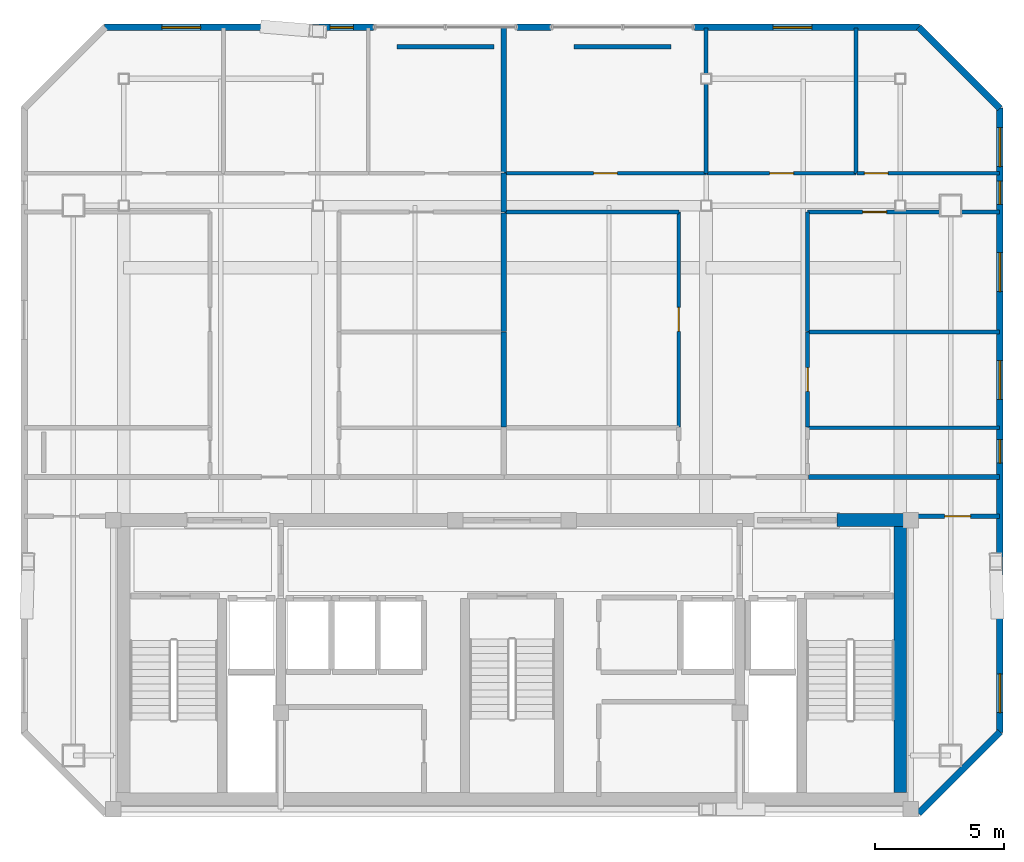
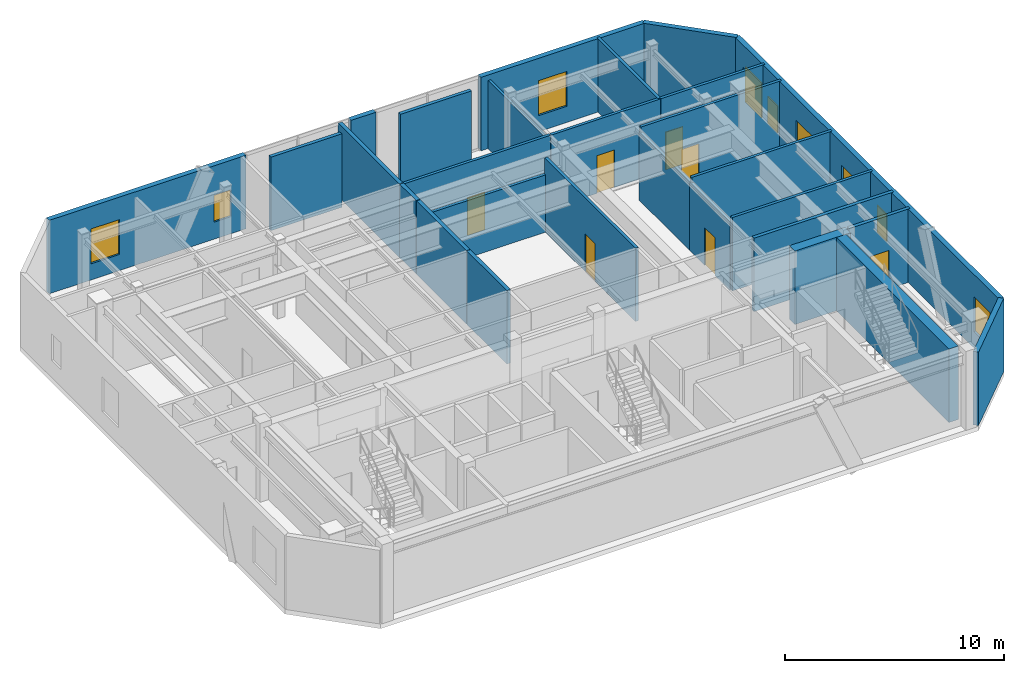
# One storey, part 8 of 10: 28 walls, 9 windows, 7 doors, 16 openings.
"""IFC4 building model written with IfcOpenShell, lengths in metres."""

from ifc_helpers import new_model, si_unit, direction, frame, frame_2d, origin, place, context, subcontext, project, spatial, rectangle, extrude, material, layer, layer_set, type_object, element, fill, save


model = new_model("IFC4")

# Units and contexts
model_context = context("Model", 3, precision=1e-05, world=origin(), true_north=direction((0.0, 1.0)))
body_context = subcontext(model_context, "Body", "Model", "MODEL_VIEW")
ifc_project = project(units=[si_unit("LENGTHUNIT", "METRE"), si_unit("AREAUNIT", "SQUARE_METRE"), si_unit("VOLUMEUNIT", "CUBIC_METRE"), si_unit("PLANEANGLEUNIT", "RADIAN"), si_unit("MASSUNIT", "GRAM", prefix="KILO")], contexts=[model_context])

# Site, building, storey
site_placement = place(None, origin())
site = spatial("IfcSite", under=ifc_project, at=site_placement, CompositionType="ELEMENT")
building_placement = place(site_placement, origin())
building = spatial("IfcBuilding", under=site, at=building_placement, Name="Ventersveld Concourse Tower", CompositionType="ELEMENT")
storey_placement = place(building_placement, frame((0.0, 0.0, 362.25)))
storey = spatial("IfcBuildingStorey", under=building, at=storey_placement, Name="L89", CompositionType="ELEMENT", Elevation=362.25)

# Walls
ifc_material_1 = material(Name="Concrete C50/60", Category="concrete")
ifc_layer_1 = layer(ifc_material_1, 0.5)
ifc_layer_set_1 = layer_set([ifc_layer_1], Name="Concrete C50/60")
wall_type_1 = type_object("IfcWallType", Name="WL-CORE-500", PredefinedType="SHEAR", material=ifc_layer_set_1)
wall_1_placement = place(storey_placement, frame((43.75, 0.919921875, 0.0), z_axis=(0.0, 0.0, 1.0), x_axis=(0.0, 1.0, 0.0)))
element("IfcWall", 1, at=wall_1_placement, inside=storey, type_object=wall_type_1, Name="L89 Rear Core East Shear Wall", PredefinedType="SHEAR", context=body_context, shape_type="SweptSolid", body=[
    extrude(rectangle(XDim=10.530029296875, YDim=0.5, at=frame_2d((5.26513671875, 0.0))), origin(), (0.0, 0.0, 1.0), 4.10009765625),
])
wall_2_placement = place(storey_placement, frame((41.300048828125, 11.449951171875, 0.0), z_axis=(0.0, 0.0, 1.0), x_axis=(1.0, 0.0, 0.0)))
element("IfcWall", 2, at=wall_2_placement, inside=storey, type_object=wall_type_1, Name="L89 Rear Core North Shear Wall NE", PredefinedType="SHEAR", context=body_context, shape_type="SweptSolid", body=[
    extrude(rectangle(XDim=2.949951171875, YDim=0.5, at=frame_2d((1.47509765625, 0.0))), origin(), (0.0, 0.0, 1.0), 4.10009765625),
])

# Wall, opening, door
ifc_material_2 = material(Name="Fire-rated autoclaved aerated masonry blockwork", Category="masonry")
ifc_layer_2 = layer(ifc_material_2, 0.179931640625)
ifc_layer_set_2 = layer_set([ifc_layer_2], Name="Fire-rated autoclaved aerated masonry blockwork")
wall_type_2 = type_object("IfcWallType", Name="WL-CORR-180", PredefinedType="PARTITIONING", material=ifc_layer_set_2)
wall_3_placement = place(storey_placement, frame((44.35498046875, 11.60009765625, 0.0), z_axis=(0.0, 0.0, 1.0), x_axis=(1.0, 0.0, 0.0)))
wall_3 = element("IfcWall", 3, at=wall_3_placement, inside=storey, type_object=wall_type_2, Name="L89 Interior Partition SP-L89-SE-OFF-SP-L89-COR", PredefinedType="PARTITIONING", context=body_context, shape_type="SweptSolid", body=[
    extrude(rectangle(XDim=3.220458984375, YDim=0.179931640625, at=frame_2d((1.6103515625, 0.0))), origin(), (0.0, 0.0, 1.0), 4.10009765625),
])
opening_1_placement = place(wall_3_placement, frame((1.1103515625, 0.0, 0.0)))
opening_1 = element("IfcOpeningElement", 4, at=opening_1_placement, cuts=wall_3, Name="Opening FD3", PredefinedType="OPENING", context=body_context, shape_type="SweptSolid", body=[
    extrude(rectangle(XDim=1.0, YDim=2.14990234375, at=frame_2d((0.5, 1.074951171875))), frame((0.0, 0.10009765625, 0.0), z_axis=(0.0, -1.0, 0.0), x_axis=(1.0, 0.0, 0.0)), (0.0, 0.0, 1.0), 0.199951171875),
])
ifc_material_3 = material(Name="Solid-core hardwood veneer timber", Category="wood")
door_type_1 = type_object("IfcDoorType", Name="DR-FLAT-100", OperationType="NOTDEFINED", PredefinedType="DOOR", material=ifc_material_3)
door_1_placement = place(opening_1_placement, origin())
door_1 = element("IfcDoor", 5, at=door_1_placement, inside=storey, type_object=door_type_1, Name="L89 Interior Door SP-L89-SE-OFF to SP-L89-COR (D-L89-3940)", OperationType="SINGLE_SWING_RIGHT", OverallHeight=2.14990234375, OverallWidth=1.0, PredefinedType="DOOR", context=body_context, shape_type="SweptSolid", body=[
    extrude(rectangle(XDim=1.0, YDim=2.14990234375, at=frame_2d((0.5, 1.074951171875))), frame((0.0, 0.02490234375, 0.0), z_axis=(0.0, -1.0, 0.0), x_axis=(1.0, 0.0, 0.0)), (0.0, 0.0, 1.0), 0.050048828125),
])
fill(opening_1, door_1)

# Walls
wall_4_placement = place(storey_placement, frame((40.207275390625, 13.114990234375, 0.0), z_axis=(0.0, 0.0, 1.0), x_axis=(1.0, 0.0, 0.0)))
element("IfcWall", 6, at=wall_4_placement, inside=storey, type_object=wall_type_2, Name="L89 Interior Partition SP-L89-COR-SP-L89-89N2-KIT", PredefinedType="PARTITIONING", context=body_context, shape_type="SweptSolid", body=[
    extrude(rectangle(XDim=7.3681640625, YDim=0.179931640625, at=frame_2d((3.68408203125, 0.0))), origin(), (0.0, 0.0, 1.0), 4.10009765625),
])
for number, where, z_axis, x_axis, name in (
    (7, (24.302978515625, 29.739990234375, 0.0), (0.0, 0.0, 1.0), (1.0, 0.0, 0.0), "L89 Room Enclosure Wall SP-L89-89N1-BR3"),
    (8, (31.153076171875, 29.739990234375, 0.0), (0.0, 0.0, 1.0), (1.0, 0.0, 0.0), "L89 Room Enclosure Wall SP-L89-89N2-BR1"),
):
    element("IfcWall", number, at=place(storey_placement, frame(where, z_axis=z_axis, x_axis=x_axis)), inside=storey, type_object=wall_type_2, Name=name, PredefinedType="PARTITIONING", context=body_context, shape_type="SweptSolid", body=[
        extrude(rectangle(XDim=3.743896484375, YDim=0.179931640625, at=frame_2d((1.8720703125, 0.0))), origin(), (0.0, 0.0, 1.0), 4.10009765625),
    ])
ifc_layer_3 = layer(ifc_material_2, 0.199951171875)
ifc_layer_set_3 = layer_set([ifc_layer_3], Name="Fire-rated autoclaved aerated masonry blockwork")
wall_type_3 = type_object("IfcWallType", Name="WL-DEMISE-200", PredefinedType="PARTITIONING", material=ifc_layer_set_3)
wall_5_placement = place(storey_placement, frame((28.42919921875, 23.344970703125, 0.0), z_axis=(0.0, 0.0, 1.0), x_axis=(0.0, 1.0, 0.0)))
element("IfcWall", 9, at=wall_5_placement, inside=storey, type_object=wall_type_3, Name="L89 Interior Partition SP-L89-89N1-LIV-SP-L89-89N2-LIV", PredefinedType="PARTITIONING", context=body_context, shape_type="SweptSolid", body=[
    extrude(rectangle(XDim=1.510009765625, YDim=0.199951171875, at=frame_2d((0.7548828125, 0.0))), origin(), (0.0, 0.0, 1.0), 4.10009765625),
])
wall_6_placement = place(storey_placement, frame((28.42919921875, 15.054931640625, 0.0), z_axis=(0.0, 0.0, 1.0), x_axis=(0.0, 1.0, 0.0)))
element("IfcWall", 10, at=wall_6_placement, inside=storey, type_object=wall_type_3, Name="L89 Interior Partition SP-L89-89N1-DENR-SP-L89-89N2-SEML0", PredefinedType="PARTITIONING", context=body_context, shape_type="SweptSolid", body=[
    extrude(rectangle(XDim=3.661865234375, YDim=0.199951171875, at=frame_2d((1.8310546875, 0.0))), origin(), (0.0, 0.0, 1.0), 4.10009765625),
])
wall_7_placement = place(storey_placement, frame((28.42919921875, 18.74658203125, 0.0), z_axis=(0.0, 0.0, 1.0), x_axis=(0.0, 1.0, 0.0)))
element("IfcWall", 11, at=wall_7_placement, inside=storey, type_object=wall_type_3, Name="L89 Interior Partition SP-L89-89N1-DENS-SP-L89-89N2-SEML0", PredefinedType="PARTITIONING", context=body_context, shape_type="SweptSolid", body=[
    extrude(rectangle(XDim=4.568359375, YDim=0.199951171875, at=frame_2d((2.2841796875, 0.0))), origin(), (0.0, 0.0, 1.0), 4.10009765625),
])
wall_8_placement = place(storey_placement, frame((28.42919921875, 24.885009765625, 0.0), z_axis=(0.0, 0.0, 1.0), x_axis=(0.0, 1.0, 0.0)))
element("IfcWall", 12, at=wall_8_placement, inside=storey, type_object=wall_type_3, Name="L89 Interior Partition SP-L89-89N1-BR3-SP-L89-89N2-BR1", PredefinedType="PARTITIONING", context=body_context, shape_type="SweptSolid", body=[
    extrude(rectangle(XDim=5.5869140625, YDim=0.199951171875, at=frame_2d((2.79345703125, 0.0))), origin(), (0.0, 0.0, 1.0), 4.10009765625),
])

# Wall, opening, door
ifc_material_4 = material(Name="Autoclaved aerated masonry blockwork", Category="masonry")
ifc_layer_4 = layer(ifc_material_4, 0.14990234375)
ifc_layer_set_4 = layer_set([ifc_layer_4], Name="Autoclaved aerated masonry blockwork")
wall_type_4 = type_object("IfcWallType", Name="WL-INT-150", PredefinedType="PARTITIONING", material=ifc_layer_set_4)
wall_9_placement = place(storey_placement, frame((35.192138671875, 15.054931640625, 0.0), z_axis=(0.0, 0.0, 1.0), x_axis=(0.0, 1.0, 0.0)))
wall_9 = element("IfcWall", 13, at=wall_9_placement, inside=storey, type_object=wall_type_4, Name="L89 Interior Partition SP-L89-89N2-LIV-SP-L89-89N2-SEML0", PredefinedType="PARTITIONING", context=body_context, shape_type="SweptSolid", body=[
    extrude(rectangle(XDim=8.300048828125, YDim=0.14990234375, at=frame_2d((4.14990234375, 0.0))), origin(), (0.0, 0.0, 1.0), 4.10009765625),
])
opening_2_placement = place(wall_9_placement, frame((3.68994140625, 0.0, 0.0)))
opening_2 = element("IfcOpeningElement", 14, at=opening_2_placement, cuts=wall_9, Name="Opening ID1", PredefinedType="OPENING", context=body_context, shape_type="SweptSolid", body=[
    extrude(rectangle(XDim=0.919921875, YDim=2.10009765625, at=frame_2d((0.4599609375, 1.050048828125))), frame((0.0, 0.0849609375, 0.0), z_axis=(0.0, -1.0, 0.0), x_axis=(1.0, 0.0, 0.0)), (0.0, 0.0, 1.0), 0.169921875),
])
door_type_2 = type_object("IfcDoorType", Name="DR-ROOM-092", OperationType="NOTDEFINED", PredefinedType="DOOR", material=ifc_material_3)
door_2_placement = place(opening_2_placement, origin())
door_2 = element("IfcDoor", 15, at=door_2_placement, inside=storey, type_object=door_type_2, Name="L89 Interior Door SP-L89-89N2-LIV to SP-L89-89N2-SEML0 (D-L89-3952)", OperationType="SINGLE_SWING_RIGHT", OverallHeight=2.10009765625, OverallWidth=0.919921875, PredefinedType="DOOR", context=body_context, shape_type="SweptSolid", body=[
    extrude(rectangle(XDim=0.919921875, YDim=2.10009765625, at=frame_2d((0.4599609375, 1.050048828125))), frame((0.0, 0.02490234375, 0.0), z_axis=(0.0, -1.0, 0.0), x_axis=(1.0, 0.0, 0.0)), (0.0, 0.0, 1.0), 0.050048828125),
])
fill(opening_2, door_2)

# Wall
wall_10_placement = place(storey_placement, frame((28.46435546875, 23.35009765625, 0.0), z_axis=(0.0, 0.0, 1.0), x_axis=(1.0, 0.0, 0.0)))
element("IfcWall", 16, at=wall_10_placement, inside=storey, type_object=wall_type_4, Name="L89 Interior Partition SP-L89-89N2-LIV-SP-L89-89N2-SEML0", PredefinedType="PARTITIONING", context=body_context, shape_type="SweptSolid", body=[
    extrude(rectangle(XDim=6.73291015625, YDim=0.14990234375, at=frame_2d((3.366455078125, 0.0))), origin(), (0.0, 0.0, 1.0), 3.199951171875),
])

# Wall, opening, door
wall_11_placement = place(storey_placement, frame((40.172119140625, 15.054931640625, 0.0), z_axis=(0.0, 0.0, 1.0), x_axis=(0.0, 1.0, 0.0)))
wall_11 = element("IfcWall", 17, at=wall_11_placement, inside=storey, type_object=wall_type_4, Name="L89 Interior Partition SP-L89-89N2-LIV-SP-L89-89N2-DENR", PredefinedType="PARTITIONING", context=body_context, shape_type="SweptSolid", body=[
    extrude(rectangle(XDim=3.661865234375, YDim=0.14990234375, at=frame_2d((1.8310546875, 0.0))), origin(), (0.0, 0.0, 1.0), 3.796630859375),
])
opening_3_placement = place(wall_11_placement, frame((1.370849609375, 0.0, 0.0)))
opening_3 = element("IfcOpeningElement", 18, at=opening_3_placement, cuts=wall_11, Name="Opening ID1", PredefinedType="OPENING", context=body_context, shape_type="SweptSolid", body=[
    extrude(rectangle(XDim=0.919921875, YDim=2.10009765625, at=frame_2d((0.4599609375, 1.050048828125))), frame((0.0, 0.0849609375, 0.0), z_axis=(0.0, -1.0, 0.0), x_axis=(1.0, 0.0, 0.0)), (0.0, 0.0, 1.0), 0.169921875),
])
door_3_placement = place(opening_3_placement, origin())
door_3 = element("IfcDoor", 19, at=door_3_placement, inside=storey, type_object=door_type_2, Name="L89 Interior Door SP-L89-89N2-LIV to SP-L89-89N2-DENR (D-L89-3954)", OperationType="SINGLE_SWING_RIGHT", OverallHeight=2.10009765625, OverallWidth=0.919921875, PredefinedType="DOOR", context=body_context, shape_type="SweptSolid", body=[
    extrude(rectangle(XDim=0.919921875, YDim=2.10009765625, at=frame_2d((0.4599609375, 1.050048828125))), frame((0.0, 0.02490234375, 0.0), z_axis=(0.0, -1.0, 0.0), x_axis=(1.0, 0.0, 0.0)), (0.0, 0.0, 1.0), 0.050048828125),
])
fill(opening_3, door_3)

wall_12_placement = place(storey_placement, frame((40.167236328125, 23.35009765625, 0.0), z_axis=(0.0, 0.0, 1.0), x_axis=(1.0, 0.0, 0.0)))
wall_12 = element("IfcWall", 20, at=wall_12_placement, inside=storey, type_object=wall_type_4, Name="L89 Interior Partition SP-L89-89N2-LIV-SP-L89-89N2-DENS", PredefinedType="PARTITIONING", context=body_context, shape_type="SweptSolid", body=[
    extrude(rectangle(XDim=7.408203125, YDim=0.14990234375, at=frame_2d((3.7041015625, 0.0))), origin(), (0.0, 0.0, 1.0), 4.10009765625),
])
opening_4_placement = place(wall_12_placement, frame((2.1328125, 0.0, 0.0)))
opening_4 = element("IfcOpeningElement", 21, at=opening_4_placement, cuts=wall_12, Name="Opening ID1", PredefinedType="OPENING", context=body_context, shape_type="SweptSolid", body=[
    extrude(rectangle(XDim=0.919921875, YDim=2.10009765625, at=frame_2d((0.4599609375, 1.050048828125))), frame((0.0, 0.0849609375, 0.0), z_axis=(0.0, -1.0, 0.0), x_axis=(1.0, 0.0, 0.0)), (0.0, 0.0, 1.0), 0.169921875),
])
door_4_placement = place(opening_4_placement, origin())
door_4 = element("IfcDoor", 22, at=door_4_placement, inside=storey, type_object=door_type_2, Name="L89 Interior Door SP-L89-89N2-LIV to SP-L89-89N2-DENS (D-L89-3955)", OperationType="SINGLE_SWING_LEFT", OverallHeight=2.10009765625, OverallWidth=0.919921875, PredefinedType="DOOR", context=body_context, shape_type="SweptSolid", body=[
    extrude(rectangle(XDim=0.919921875, YDim=2.10009765625, at=frame_2d((0.4599609375, 1.050048828125))), frame((0.0, 0.02490234375, 0.0), z_axis=(0.0, -1.0, 0.0), x_axis=(1.0, 0.0, 0.0)), (0.0, 0.0, 1.0), 0.050048828125),
])
fill(opening_4, door_4)

# Wall
wall_13_placement = place(storey_placement, frame((40.172119140625, 18.74658203125, 0.0), z_axis=(0.0, 0.0, 1.0), x_axis=(0.0, 1.0, 0.0)))
element("IfcWall", 23, at=wall_13_placement, inside=storey, type_object=wall_type_4, Name="L89 Interior Partition SP-L89-89N2-LIV-SP-L89-89N2-DENS", PredefinedType="PARTITIONING", context=body_context, shape_type="SweptSolid", body=[
    extrude(rectangle(XDim=4.6083984375, YDim=0.14990234375, at=frame_2d((2.30419921875, 0.0))), origin(), (0.0, 0.0, 1.0), 3.796630859375),
])

# Wall, opening, door
wall_14_placement = place(storey_placement, frame((28.46435546875, 24.85009765625, 0.0), z_axis=(0.0, 0.0, 1.0), x_axis=(1.0, 0.0, 0.0)))
wall_14 = element("IfcWall", 24, at=wall_14_placement, inside=storey, type_object=wall_type_4, Name="L89 Interior Partition SP-L89-89N2-LIV-SP-L89-89N2-BR1", PredefinedType="PARTITIONING", context=body_context, shape_type="SweptSolid", body=[
    extrude(rectangle(XDim=7.79052734375, YDim=0.14990234375, at=frame_2d((3.895263671875, 0.0))), origin(), (0.0, 0.0, 1.0), 4.10009765625),
])
opening_5_placement = place(wall_14_placement, frame((3.435302734375, 0.0, 0.0)))
opening_5 = element("IfcOpeningElement", 25, at=opening_5_placement, cuts=wall_14, Name="Opening ID1", PredefinedType="OPENING", context=body_context, shape_type="SweptSolid", body=[
    extrude(rectangle(XDim=0.919921875, YDim=2.10009765625, at=frame_2d((0.4599609375, 1.050048828125))), frame((0.0, 0.0849609375, 0.0), z_axis=(0.0, -1.0, 0.0), x_axis=(1.0, 0.0, 0.0)), (0.0, 0.0, 1.0), 0.169921875),
])
door_5_placement = place(opening_5_placement, origin())
door_5 = element("IfcDoor", 26, at=door_5_placement, inside=storey, type_object=door_type_2, Name="L89 Interior Door SP-L89-89N2-LIV to SP-L89-89N2-BR1 (D-L89-3956)", OperationType="SINGLE_SWING_RIGHT", OverallHeight=2.10009765625, OverallWidth=0.919921875, PredefinedType="DOOR", context=body_context, shape_type="SweptSolid", body=[
    extrude(rectangle(XDim=0.919921875, YDim=2.10009765625, at=frame_2d((0.4599609375, 1.050048828125))), frame((0.0, 0.02490234375, 0.0), z_axis=(0.0, -1.0, 0.0), x_axis=(1.0, 0.0, 0.0)), (0.0, 0.0, 1.0), 0.050048828125),
])
fill(opening_5, door_5)

wall_15_placement = place(storey_placement, frame((36.284912109375, 24.85009765625, 0.0), z_axis=(0.0, 0.0, 1.0), x_axis=(1.0, 0.0, 0.0)))
wall_15 = element("IfcWall", 27, at=wall_15_placement, inside=storey, type_object=wall_type_4, Name="L89 Interior Partition SP-L89-89N2-LIV-SP-L89-89N2-BR2", PredefinedType="PARTITIONING", context=body_context, shape_type="SweptSolid", body=[
    extrude(rectangle(XDim=5.764404296875, YDim=0.14990234375, at=frame_2d((2.88232421875, 0.0))), origin(), (0.0, 0.0, 1.0), 4.10009765625),
])
opening_6_placement = place(wall_15_placement, frame((2.422119140625, 0.0, 0.0)))
opening_6 = element("IfcOpeningElement", 28, at=opening_6_placement, cuts=wall_15, Name="Opening ID1", PredefinedType="OPENING", context=body_context, shape_type="SweptSolid", body=[
    extrude(rectangle(XDim=0.919921875, YDim=2.10009765625, at=frame_2d((0.4599609375, 1.050048828125))), frame((0.0, 0.0849609375, 0.0), z_axis=(0.0, -1.0, 0.0), x_axis=(1.0, 0.0, 0.0)), (0.0, 0.0, 1.0), 0.169921875),
])
door_6_placement = place(opening_6_placement, origin())
door_6 = element("IfcDoor", 29, at=door_6_placement, inside=storey, type_object=door_type_2, Name="L89 Interior Door SP-L89-89N2-LIV to SP-L89-89N2-BR2 (D-L89-3957)", OperationType="SINGLE_SWING_LEFT", OverallHeight=2.10009765625, OverallWidth=0.919921875, PredefinedType="DOOR", context=body_context, shape_type="SweptSolid", body=[
    extrude(rectangle(XDim=0.919921875, YDim=2.10009765625, at=frame_2d((0.4599609375, 1.050048828125))), frame((0.0, 0.02490234375, 0.0), z_axis=(0.0, -1.0, 0.0), x_axis=(1.0, 0.0, 0.0)), (0.0, 0.0, 1.0), 0.050048828125),
])
fill(opening_6, door_6)

wall_16_placement = place(storey_placement, frame((42.079345703125, 24.85009765625, 0.0), z_axis=(0.0, 0.0, 1.0), x_axis=(1.0, 0.0, 0.0)))
wall_16 = element("IfcWall", 30, at=wall_16_placement, inside=storey, type_object=wall_type_4, Name="L89 Interior Partition SP-L89-89N2-LIV-SP-L89-89N2-BR3", PredefinedType="PARTITIONING", context=body_context, shape_type="SweptSolid", body=[
    extrude(rectangle(XDim=5.49609375, YDim=0.14990234375, at=frame_2d((2.748046875, 0.0))), origin(), (0.0, 0.0, 1.0), 4.10009765625),
])
opening_7_placement = place(wall_16_placement, frame((0.280029296875, 0.0, 0.0)))
opening_7 = element("IfcOpeningElement", 31, at=opening_7_placement, cuts=wall_16, Name="Opening ID1", PredefinedType="OPENING", context=body_context, shape_type="SweptSolid", body=[
    extrude(rectangle(XDim=0.919921875, YDim=2.10009765625, at=frame_2d((0.4599609375, 1.050048828125))), frame((0.0, 0.0849609375, 0.0), z_axis=(0.0, -1.0, 0.0), x_axis=(1.0, 0.0, 0.0)), (0.0, 0.0, 1.0), 0.169921875),
])
door_7_placement = place(opening_7_placement, origin())
door_7 = element("IfcDoor", 32, at=door_7_placement, inside=storey, type_object=door_type_2, Name="L89 Interior Door SP-L89-89N2-LIV to SP-L89-89N2-BR3 (D-L89-3958)", OperationType="SINGLE_SWING_RIGHT", OverallHeight=2.10009765625, OverallWidth=0.919921875, PredefinedType="DOOR", context=body_context, shape_type="SweptSolid", body=[
    extrude(rectangle(XDim=0.919921875, YDim=2.10009765625, at=frame_2d((0.4599609375, 1.050048828125))), frame((0.0, 0.02490234375, 0.0), z_axis=(0.0, -1.0, 0.0), x_axis=(1.0, 0.0, 0.0)), (0.0, 0.0, 1.0), 0.050048828125),
])
fill(opening_7, door_7)

# Walls
for number, where, z_axis, x_axis, name in (
    (33, (40.167236328125, 15.02001953125, 0.0), (0.0, 0.0, 1.0), (1.0, 0.0, 0.0), "L89 Interior Partition SP-L89-89N2-KIT-SP-L89-89N2-DENR"),
    (34, (40.167236328125, 18.711669921875, 0.0), (0.0, 0.0, 1.0), (1.0, 0.0, 0.0), "L89 Interior Partition SP-L89-89N2-DENR-SP-L89-89N2-DENS"),
):
    element("IfcWall", number, at=place(storey_placement, frame(where, z_axis=z_axis, x_axis=x_axis)), inside=storey, type_object=wall_type_4, Name=name, PredefinedType="PARTITIONING", context=body_context, shape_type="SweptSolid", body=[
        extrude(rectangle(XDim=7.408203125, YDim=0.14990234375, at=frame_2d((3.7041015625, 0.0))), origin(), (0.0, 0.0, 1.0), 4.10009765625),
    ])
wall_17_placement = place(storey_placement, frame((36.25, 24.844970703125, 0.0), z_axis=(0.0, 0.0, 1.0), x_axis=(0.0, 1.0, 0.0)))
element("IfcWall", 35, at=wall_17_placement, inside=storey, type_object=wall_type_4, Name="L89 Interior Partition SP-L89-89N2-BR1-SP-L89-89N2-BR2", PredefinedType="PARTITIONING", context=body_context, shape_type="SweptSolid", body=[
    extrude(rectangle(XDim=5.62548828125, YDim=0.14990234375, at=frame_2d((2.812744140625, 0.0))), origin(), (0.0, 0.0, 1.0), 3.796630859375),
])
wall_18_placement = place(storey_placement, frame((42.044189453125, 24.844970703125, 0.0), z_axis=(0.0, 0.0, 1.0), x_axis=(0.0, 1.0, 0.0)))
element("IfcWall", 36, at=wall_18_placement, inside=storey, type_object=wall_type_4, Name="L89 Interior Partition SP-L89-89N2-BR2-SP-L89-89N2-BR3", PredefinedType="PARTITIONING", context=body_context, shape_type="SweptSolid", body=[
    extrude(rectangle(XDim=5.62548828125, YDim=0.14990234375, at=frame_2d((2.812744140625, 0.0))), origin(), (0.0, 0.0, 1.0), 4.10009765625),
])
ifc_material_5 = material(Name="Precast concrete C45/55", Category="concrete")
ifc_layer_5 = layer(ifc_material_5, 0.260009765625)
ifc_layer_set_5 = layer_set([ifc_layer_5], Name="Precast concrete C45/55")
wall_type_5 = type_object("IfcWallType", Name="WL-PREC-260", PredefinedType="SOLIDWALL", material=ifc_layer_set_5)
wall_19_placement = place(storey_placement, frame((44.46142578125, 0.1201171875, 0.0), z_axis=(0.0, 0.0, 1.0), x_axis=(0.707079321262, 0.707134240044, 0.0)))
element("IfcWall", 37, at=wall_19_placement, inside=storey, type_object=wall_type_5, Name="L89 Highveld Precast Facade Wall E02", PredefinedType="SOLIDWALL", context=body_context, shape_type="SweptSolid", body=[
    extrude(rectangle(XDim=4.445556640625, YDim=0.260009765625, at=frame_2d((2.22265625, 0.0))), origin(), (0.0, 0.0, 1.0), 4.10009765625),
])

# Wall, openings, windows
wall_20_placement = place(storey_placement, frame((47.594970703125, 3.239990234375, 0.0), z_axis=(0.0, 0.0, 1.0), x_axis=(0.0, 1.0, 0.0)))
wall_20 = element("IfcWall", 38, at=wall_20_placement, inside=storey, type_object=wall_type_5, Name="L89 Highveld Precast Facade Wall E03", PredefinedType="SOLIDWALL", context=body_context, shape_type="SweptSolid", body=[
    extrude(rectangle(XDim=24.139892578125, YDim=0.260009765625, at=frame_2d((12.06982421875, 0.0))), origin(), (0.0, 0.0, 1.0), 4.10009765625),
])
opening_8_placement = place(wall_20_placement, frame((0.77001953125, 0.0, 0.89990234375)))
opening_8 = element("IfcOpeningElement", 39, at=opening_8_placement, cuts=wall_20, Name="Opening W1", PredefinedType="OPENING", context=body_context, shape_type="SweptSolid", body=[
    extrude(rectangle(XDim=1.5, YDim=1.949951171875, at=frame_2d((0.75, 0.97509765625))), frame((0.0, 0.14013671875, 0.0), z_axis=(0.0, -1.0, 0.0), x_axis=(1.0, 0.0, 0.0)), (0.0, 0.0, 1.0), 0.280029296875),
])
opening_9_placement = place(wall_20_placement, frame((20.409912109375, 0.0, 0.949951171875)))
opening_9 = element("IfcOpeningElement", 40, at=opening_9_placement, cuts=wall_20, Name="Opening W4", PredefinedType="OPENING", context=body_context, shape_type="SweptSolid", body=[
    extrude(rectangle(XDim=0.89990234375, YDim=1.5, at=frame_2d((0.449951171875, 0.75))), frame((0.0, 0.14013671875, 0.0), z_axis=(0.0, -1.0, 0.0), x_axis=(1.0, 0.0, 0.0)), (0.0, 0.0, 1.0), 0.280029296875),
])
opening_10_placement = place(wall_20_placement, frame((10.4150390625, 0.0, 0.949951171875)))
opening_10 = element("IfcOpeningElement", 41, at=opening_10_placement, cuts=wall_20, Name="Opening W4", PredefinedType="OPENING", context=body_context, shape_type="SweptSolid", body=[
    extrude(rectangle(XDim=0.89990234375, YDim=1.5, at=frame_2d((0.449951171875, 0.75))), frame((0.0, 0.14013671875, 0.0), z_axis=(0.0, -1.0, 0.0), x_axis=(1.0, 0.0, 0.0)), (0.0, 0.0, 1.0), 0.280029296875),
])
opening_11_placement = place(wall_20_placement, frame((12.875732421875, 0.0, 0.89990234375)))
opening_11 = element("IfcOpeningElement", 42, at=opening_11_placement, cuts=wall_20, Name="Opening W1", PredefinedType="OPENING", context=body_context, shape_type="SweptSolid", body=[
    extrude(rectangle(XDim=1.5, YDim=1.949951171875, at=frame_2d((0.75, 0.97509765625))), frame((0.0, 0.14013671875, 0.0), z_axis=(0.0, -1.0, 0.0), x_axis=(1.0, 0.0, 0.0)), (0.0, 0.0, 1.0), 0.280029296875),
])
opening_12_placement = place(wall_20_placement, frame((17.041015625, 0.0, 0.89990234375)))
opening_12 = element("IfcOpeningElement", 43, at=opening_12_placement, cuts=wall_20, Name="Opening W1", PredefinedType="OPENING", context=body_context, shape_type="SweptSolid", body=[
    extrude(rectangle(XDim=1.5, YDim=1.949951171875, at=frame_2d((0.75, 0.97509765625))), frame((0.0, 0.14013671875, 0.0), z_axis=(0.0, -1.0, 0.0), x_axis=(1.0, 0.0, 0.0)), (0.0, 0.0, 1.0), 0.280029296875),
])
opening_13_placement = place(wall_20_placement, frame((21.8701171875, 0.0, 0.89990234375)))
opening_13 = element("IfcOpeningElement", 44, at=opening_13_placement, cuts=wall_20, Name="Opening W1", PredefinedType="OPENING", context=body_context, shape_type="SweptSolid", body=[
    extrude(rectangle(XDim=1.5, YDim=1.949951171875, at=frame_2d((0.75, 0.97509765625))), frame((0.0, 0.14013671875, 0.0), z_axis=(0.0, -1.0, 0.0), x_axis=(1.0, 0.0, 0.0)), (0.0, 0.0, 1.0), 0.280029296875),
])
ifc_material_6 = material(Name="Tempered acoustic Low-E IGU", Category="glass")
window_type_1 = type_object("IfcWindowType", Name="WIN-090x150", PartitioningType="SINGLE_PANEL", PredefinedType="WINDOW", material=ifc_material_6)
window_1_placement = place(opening_9_placement, origin())
window_1 = element("IfcWindow", 45, at=window_1_placement, inside=storey, type_object=window_type_1, Name="L89 Punched Low-E Window W-1245", OverallHeight=1.5, OverallWidth=0.89990234375, PartitioningType="SINGLE_PANEL", PredefinedType="WINDOW", context=body_context, shape_type="SweptSolid", body=[
    extrude(rectangle(XDim=0.89990234375, YDim=1.5, at=frame_2d((0.449951171875, 0.75))), frame((0.0, 0.030029296875, 0.0), z_axis=(0.0, -1.0, 0.0), x_axis=(1.0, 0.0, 0.0)), (0.0, 0.0, 1.0), 0.06005859375),
])
fill(opening_9, window_1)
window_2_placement = place(opening_10_placement, origin())
window_2 = element("IfcWindow", 46, at=window_2_placement, inside=storey, type_object=window_type_1, Name="L89 Punched Low-E Window W-1246", OverallHeight=1.5, OverallWidth=0.89990234375, PartitioningType="SINGLE_PANEL", PredefinedType="WINDOW", context=body_context, shape_type="SweptSolid", body=[
    extrude(rectangle(XDim=0.89990234375, YDim=1.5, at=frame_2d((0.449951171875, 0.75))), frame((0.0, 0.030029296875, 0.0), z_axis=(0.0, -1.0, 0.0), x_axis=(1.0, 0.0, 0.0)), (0.0, 0.0, 1.0), 0.06005859375),
])
fill(opening_10, window_2)
window_type_2 = type_object("IfcWindowType", Name="WIN-150x210", PartitioningType="SINGLE_PANEL", PredefinedType="WINDOW", material=ifc_material_6)
window_3_placement = place(opening_8_placement, origin())
window_3 = element("IfcWindow", 47, at=window_3_placement, inside=storey, type_object=window_type_2, Name="L89 Punched Low-E Window W-1240", OverallHeight=1.949951171875, OverallWidth=1.5, PartitioningType="SINGLE_PANEL", PredefinedType="WINDOW", context=body_context, shape_type="SweptSolid", body=[
    extrude(rectangle(XDim=1.5, YDim=1.949951171875, at=frame_2d((0.75, 0.97509765625))), frame((0.0, 0.030029296875, 0.0), z_axis=(0.0, -1.0, 0.0), x_axis=(1.0, 0.0, 0.0)), (0.0, 0.0, 1.0), 0.06005859375),
])
fill(opening_8, window_3)
window_4_placement = place(opening_11_placement, origin())
window_4 = element("IfcWindow", 48, at=window_4_placement, inside=storey, type_object=window_type_2, Name="L89 Punched Low-E Window W-1247", OverallHeight=1.949951171875, OverallWidth=1.5, PartitioningType="SINGLE_PANEL", PredefinedType="WINDOW", context=body_context, shape_type="SweptSolid", body=[
    extrude(rectangle(XDim=1.5, YDim=1.949951171875, at=frame_2d((0.75, 0.97509765625))), frame((0.0, 0.030029296875, 0.0), z_axis=(0.0, -1.0, 0.0), x_axis=(1.0, 0.0, 0.0)), (0.0, 0.0, 1.0), 0.06005859375),
])
fill(opening_11, window_4)
window_5_placement = place(opening_12_placement, origin())
window_5 = element("IfcWindow", 49, at=window_5_placement, inside=storey, type_object=window_type_2, Name="L89 Punched Low-E Window W-1248", OverallHeight=1.949951171875, OverallWidth=1.5, PartitioningType="SINGLE_PANEL", PredefinedType="WINDOW", context=body_context, shape_type="SweptSolid", body=[
    extrude(rectangle(XDim=1.5, YDim=1.949951171875, at=frame_2d((0.75, 0.97509765625))), frame((0.0, 0.030029296875, 0.0), z_axis=(0.0, -1.0, 0.0), x_axis=(1.0, 0.0, 0.0)), (0.0, 0.0, 1.0), 0.06005859375),
])
fill(opening_12, window_5)
window_6_placement = place(opening_13_placement, origin())
window_6 = element("IfcWindow", 50, at=window_6_placement, inside=storey, type_object=window_type_2, Name="L89 Punched Low-E Window W-1250", OverallHeight=1.949951171875, OverallWidth=1.5, PartitioningType="SINGLE_PANEL", PredefinedType="WINDOW", context=body_context, shape_type="SweptSolid", body=[
    extrude(rectangle(XDim=1.5, YDim=1.949951171875, at=frame_2d((0.75, 0.97509765625))), frame((0.0, 0.030029296875, 0.0), z_axis=(0.0, -1.0, 0.0), x_axis=(1.0, 0.0, 0.0)), (0.0, 0.0, 1.0), 0.06005859375),
])
fill(opening_13, window_6)

# Walls
wall_21_placement = place(storey_placement, frame((47.604736328125, 27.3564453125, 0.0), z_axis=(0.0, 0.0, 1.0), x_axis=(-0.707106781187, 0.707106781187, 0.0)))
element("IfcWall", 51, at=wall_21_placement, inside=storey, type_object=wall_type_5, Name="L89 Highveld Precast Facade Wall E04", PredefinedType="SOLIDWALL", context=body_context, shape_type="SweptSolid", body=[
    extrude(rectangle(XDim=4.4453125, YDim=0.260009765625, at=frame_2d((2.22265625, 0.0))), origin(), (0.0, 0.0, 1.0), 4.10009765625),
])
wall_22_placement = place(storey_placement, frame((30.25, 30.489990234375, 0.0), z_axis=(0.0, 0.0, 1.0), x_axis=(-1.0, 0.0, 0.0)))
element("IfcWall", 52, at=wall_22_placement, inside=storey, type_object=wall_type_5, Name="L89 Observatory Central Precast Pier", PredefinedType="SOLIDWALL", context=body_context, shape_type="SweptSolid", body=[
    extrude(rectangle(XDim=1.300048828125, YDim=0.260009765625, at=frame_2d((0.64990234375, 0.0))), origin(), (0.0, 0.0, 1.0), 4.10009765625),
])

# Wall, opening, window
wall_23_placement = place(storey_placement, frame((44.485107421875, 30.489990234375, 0.0), z_axis=(0.0, 0.0, 1.0), x_axis=(-1.0, 0.0, 0.0)))
wall_23 = element("IfcWall", 53, at=wall_23_placement, inside=storey, type_object=wall_type_5, Name="L89 North-East Precast Pier Wall", PredefinedType="SOLIDWALL", context=body_context, shape_type="SweptSolid", body=[
    extrude(rectangle(XDim=8.68505859375, YDim=0.260009765625, at=frame_2d((4.342529296875, 0.0))), origin(), (0.0, 0.0, 1.0), 4.10009765625),
])
opening_14_placement = place(wall_23_placement, frame((4.147705078125, 0.0, 0.89990234375)))
opening_14 = element("IfcOpeningElement", 54, at=opening_14_placement, cuts=wall_23, Name="Opening W1", PredefinedType="OPENING", context=body_context, shape_type="SweptSolid", body=[
    extrude(rectangle(XDim=1.5, YDim=1.949951171875, at=frame_2d((0.75, 0.97509765625))), frame((0.0, 0.14013671875, 0.0), z_axis=(0.0, -1.0, 0.0), x_axis=(1.0, 0.0, 0.0)), (0.0, 0.0, 1.0), 0.280029296875),
])
window_7_placement = place(opening_14_placement, origin())
window_7 = element("IfcWindow", 55, at=window_7_placement, inside=storey, type_object=window_type_2, Name="L89 Punched Low-E Window W-1249", OverallHeight=1.949951171875, OverallWidth=1.5, PartitioningType="SINGLE_PANEL", PredefinedType="WINDOW", context=body_context, shape_type="SweptSolid", body=[
    extrude(rectangle(XDim=1.5, YDim=1.949951171875, at=frame_2d((0.75, 0.97509765625))), frame((0.0, 0.030029296875, 0.0), z_axis=(0.0, -1.0, 0.0), x_axis=(1.0, 0.0, 0.0)), (0.0, 0.0, 1.0), 0.06005859375),
])
fill(opening_14, window_7)

# Wall, openings, windows
wall_24_placement = place(storey_placement, frame((23.39990234375, 30.489990234375, 0.0), z_axis=(0.0, 0.0, 1.0), x_axis=(-1.0, 0.0, 0.0)))
wall_24 = element("IfcWall", 56, at=wall_24_placement, inside=storey, type_object=wall_type_5, Name="L89 North-West Precast Pier Wall", PredefinedType="SOLIDWALL", context=body_context, shape_type="SweptSolid", body=[
    extrude(rectangle(XDim=10.385009765625, YDim=0.260009765625, at=frame_2d((5.1923828125, 0.0))), origin(), (0.0, 0.0, 1.0), 4.10009765625),
])
opening_15_placement = place(wall_24_placement, frame((6.676025390625, 0.0, 0.89990234375)))
opening_15 = element("IfcOpeningElement", 57, at=opening_15_placement, cuts=wall_24, Name="Opening W1", PredefinedType="OPENING", context=body_context, shape_type="SweptSolid", body=[
    extrude(rectangle(XDim=1.5, YDim=1.949951171875, at=frame_2d((0.75, 0.97509765625))), frame((0.0, 0.14013671875, 0.0), z_axis=(0.0, -1.0, 0.0), x_axis=(1.0, 0.0, 0.0)), (0.0, 0.0, 1.0), 0.280029296875),
])
opening_16_placement = place(wall_24_placement, frame((0.780029296875, 0.0, 0.949951171875)))
opening_16 = element("IfcOpeningElement", 58, at=opening_16_placement, cuts=wall_24, Name="Opening W4", PredefinedType="OPENING", context=body_context, shape_type="SweptSolid", body=[
    extrude(rectangle(XDim=0.89990234375, YDim=1.5, at=frame_2d((0.449951171875, 0.75))), frame((0.0, 0.14013671875, 0.0), z_axis=(0.0, -1.0, 0.0), x_axis=(1.0, 0.0, 0.0)), (0.0, 0.0, 1.0), 0.280029296875),
])
window_8_placement = place(opening_16_placement, origin())
window_8 = element("IfcWindow", 59, at=window_8_placement, inside=storey, type_object=window_type_1, Name="L89 Punched Low-E Window W-1244", OverallHeight=1.5, OverallWidth=0.89990234375, PartitioningType="SINGLE_PANEL", PredefinedType="WINDOW", context=body_context, shape_type="SweptSolid", body=[
    extrude(rectangle(XDim=0.89990234375, YDim=1.5, at=frame_2d((0.449951171875, 0.75))), frame((0.0, 0.030029296875, 0.0), z_axis=(0.0, -1.0, 0.0), x_axis=(1.0, 0.0, 0.0)), (0.0, 0.0, 1.0), 0.06005859375),
])
fill(opening_16, window_8)
window_9_placement = place(opening_15_placement, origin())
window_9 = element("IfcWindow", 60, at=window_9_placement, inside=storey, type_object=window_type_2, Name="L89 Punched Low-E Window W-1243", OverallHeight=1.949951171875, OverallWidth=1.5, PartitioningType="SINGLE_PANEL", PredefinedType="WINDOW", context=body_context, shape_type="SweptSolid", body=[
    extrude(rectangle(XDim=1.5, YDim=1.949951171875, at=frame_2d((0.75, 0.97509765625))), frame((0.0, 0.030029296875, 0.0), z_axis=(0.0, -1.0, 0.0), x_axis=(1.0, 0.0, 0.0)), (0.0, 0.0, 1.0), 0.06005859375),
])
fill(opening_15, window_9)

save(model, "model.ifc")
